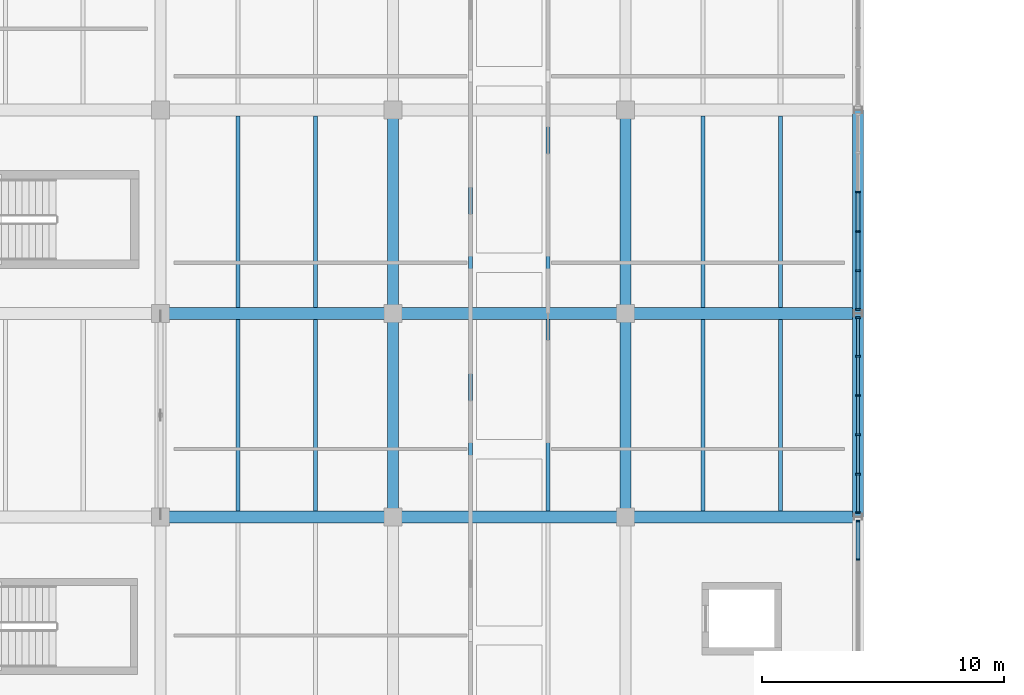
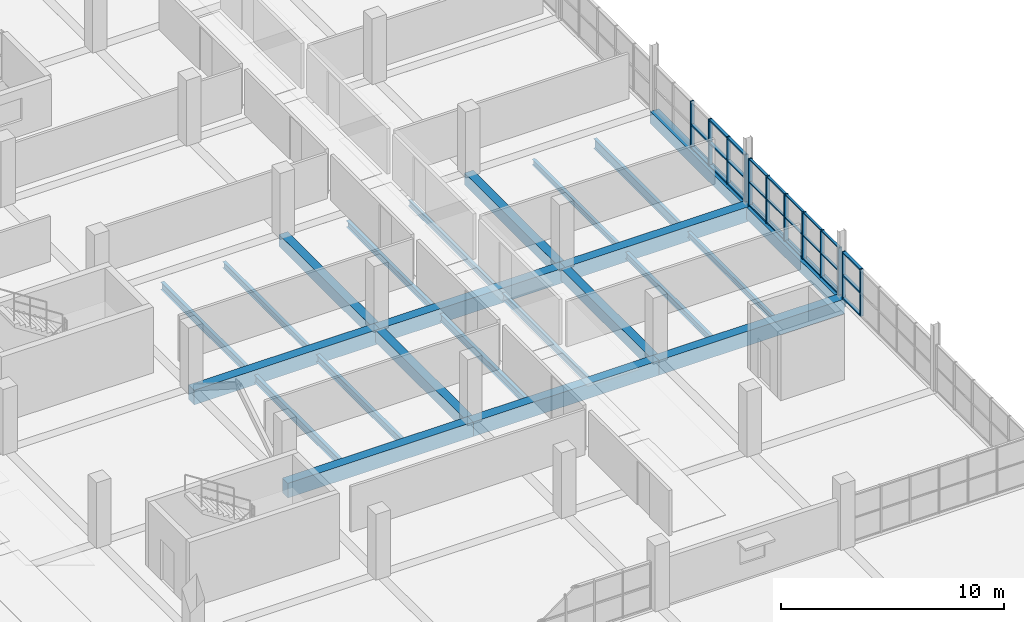
# One storey, part 27 of 147: 38 members, 24 beams, 3 elements without a shape of their own.
"""IFC4 building model written with IfcOpenShell, lengths in metres."""

from ifc_helpers import new_model, si_unit, direction, frame, origin, origin_2d, place, context, subcontext, project, spatial, rectangle, i_section, extrude, material, material_profile, profile_set, type_object, element, aggregate, save


model = new_model("IFC4")

# Units and contexts
model_context = context("Model", 3, precision=1e-05, world=origin(), true_north=direction((0.0, 1.0)))
body_context = subcontext(model_context, "Body", "Model", "MODEL_VIEW")
ifc_project = project(units=[si_unit("LENGTHUNIT", "METRE"), si_unit("AREAUNIT", "SQUARE_METRE"), si_unit("VOLUMEUNIT", "CUBIC_METRE"), si_unit("PLANEANGLEUNIT", "RADIAN"), si_unit("MASSUNIT", "GRAM", prefix="KILO")], contexts=[model_context])

# Site, building, storey
site_placement = place(None, origin())
site = spatial("IfcSite", under=ifc_project, at=site_placement, CompositionType="ELEMENT")
building_placement = place(site_placement, origin())
building = spatial("IfcBuilding", under=site, at=building_placement, Name="Oolite Switchyard Hospital", CompositionType="ELEMENT")
storey_placement = place(building_placement, frame((0.0, 0.0, 9.89990234375)))
storey = spatial("IfcBuildingStorey", under=building, at=storey_placement, Name="L02", CompositionType="ELEMENT", Elevation=9.89990234375)

# Beams
ifc_material_1 = material(Name="Concrete C40/50", Category="concrete")
ifc_material_profile_1 = material_profile(ifc_material_1, rectangle(XDim=0.449951171875, YDim=0.64990234375, at=origin_2d()), Name="RCB450X650")
ifc_profile_set_1 = profile_set([ifc_material_profile_1], Name="Concrete C40/50")
beam_type_1 = type_object("IfcBeamType", Name="BM-RC450X650", PredefinedType="BEAM", material=ifc_profile_set_1)
beam_1_placement = place(storey_placement, frame((38.39990234375, 50.39990234375, -0.324951171875), z_axis=(0.0, 1.0, 0.0), x_axis=(-1.0, 0.0, 0.0)))
element("IfcBeam", 1, at=beam_1_placement, inside=storey, type_object=beam_type_1, Name="L02 Y-Girder 1314", PredefinedType="BEAM", context=body_context, shape_type="SweptSolid", body=[
    extrude(rectangle(XDim=0.449951171875, YDim=0.64990234375, at=origin_2d()), origin(), (0.0, 0.0, 1.0), 8.400146484375),
])
beam_2_placement = place(storey_placement, frame((38.39990234375, 58.800048828125, -0.324951171875), z_axis=(0.0, 1.0, 0.0), x_axis=(-1.0, 0.0, 0.0)))
element("IfcBeam", 2, at=beam_2_placement, inside=storey, type_object=beam_type_1, Name="L02 Y-Girder 1315", PredefinedType="BEAM", context=body_context, shape_type="SweptSolid", body=[
    extrude(rectangle(XDim=0.449951171875, YDim=0.64990234375, at=origin_2d()), origin(), (0.0, 0.0, 1.0), 8.39990234375),
])
beam_3_placement = place(storey_placement, frame((48.0, 50.39990234375, -0.324951171875), z_axis=(0.0, 1.0, 0.0), x_axis=(-1.0, 0.0, 0.0)))
element("IfcBeam", 3, at=beam_3_placement, inside=storey, type_object=beam_type_1, Name="L02 Y-Girder 1330", PredefinedType="BEAM", context=body_context, shape_type="SweptSolid", body=[
    extrude(rectangle(XDim=0.449951171875, YDim=0.64990234375, at=origin_2d()), origin(), (0.0, 0.0, 1.0), 8.400146484375),
])
beam_4_placement = place(storey_placement, frame((48.0, 58.800048828125, -0.324951171875), z_axis=(0.0, 1.0, 0.0), x_axis=(-1.0, 0.0, 0.0)))
element("IfcBeam", 4, at=beam_4_placement, inside=storey, type_object=beam_type_1, Name="L02 Y-Girder 1331", PredefinedType="BEAM", context=body_context, shape_type="SweptSolid", body=[
    extrude(rectangle(XDim=0.449951171875, YDim=0.64990234375, at=origin_2d()), origin(), (0.0, 0.0, 1.0), 8.39990234375),
])
beam_5_placement = place(storey_placement, frame((57.60009765625, 50.39990234375, -0.324951171875), z_axis=(0.0, 1.0, 0.0), x_axis=(-1.0, 0.0, 0.0)))
element("IfcBeam", 5, at=beam_5_placement, inside=storey, type_object=beam_type_1, Name="L02 Y-Girder 1346", PredefinedType="BEAM", context=body_context, shape_type="SweptSolid", body=[
    extrude(rectangle(XDim=0.449951171875, YDim=0.64990234375, at=origin_2d()), origin(), (0.0, 0.0, 1.0), 8.400146484375),
])
beam_6_placement = place(storey_placement, frame((57.60009765625, 58.800048828125, -0.324951171875), z_axis=(0.0, 1.0, 0.0), x_axis=(-1.0, 0.0, 0.0)))
element("IfcBeam", 6, at=beam_6_placement, inside=storey, type_object=beam_type_1, Name="L02 Y-Girder 1347", PredefinedType="BEAM", context=body_context, shape_type="SweptSolid", body=[
    extrude(rectangle(XDim=0.449951171875, YDim=0.64990234375, at=origin_2d()), origin(), (0.0, 0.0, 1.0), 8.39990234375),
])
ifc_material_profile_2 = material_profile(ifc_material_1, rectangle(XDim=0.5, YDim=0.800048828125, at=origin_2d()), Name="RCB500X800")
ifc_profile_set_2 = profile_set([ifc_material_profile_2], Name="Concrete C40/50")
beam_type_2 = type_object("IfcBeamType", Name="BM-RC500X800", PredefinedType="BEAM", material=ifc_profile_set_2)
beam_7_placement = place(storey_placement, frame((28.800048828125, 50.39990234375, -0.39990234375), z_axis=(1.0, 0.0, 0.0), x_axis=(0.0, 1.0, 0.0)))
element("IfcBeam", 7, at=beam_7_placement, inside=storey, type_object=beam_type_2, Name="L02 X-Girder 1065", PredefinedType="BEAM", context=body_context, shape_type="SweptSolid", body=[
    extrude(rectangle(XDim=0.5, YDim=0.800048828125, at=origin_2d()), origin(), (0.0, 0.0, 1.0), 9.599853515625),
])
for number, where, z_axis, x_axis, name in (
    (8, (38.39990234375, 50.39990234375, -0.39990234375), (1.0, 0.0, 0.0), (0.0, 1.0, 0.0), "L02 X-Girder 1066"),
    (9, (48.0, 50.39990234375, -0.39990234375), (1.0, 0.0, 0.0), (0.0, 1.0, 0.0), "L02 X-Girder 1067"),
):
    element("IfcBeam", number, at=place(storey_placement, frame(where, z_axis=z_axis, x_axis=x_axis)), inside=storey, type_object=beam_type_2, Name=name, PredefinedType="BEAM", context=body_context, shape_type="SweptSolid", body=[
        extrude(rectangle(XDim=0.5, YDim=0.800048828125, at=origin_2d()), origin(), (0.0, 0.0, 1.0), 9.60009765625),
    ])
beam_8_placement = place(storey_placement, frame((28.800048828125, 58.800048828125, -0.39990234375), z_axis=(1.0, 0.0, 0.0), x_axis=(0.0, 1.0, 0.0)))
element("IfcBeam", 10, at=beam_8_placement, inside=storey, type_object=beam_type_2, Name="L02 X-Girder 1081", PredefinedType="BEAM", context=body_context, shape_type="SweptSolid", body=[
    extrude(rectangle(XDim=0.5, YDim=0.800048828125, at=origin_2d()), origin(), (0.0, 0.0, 1.0), 9.599853515625),
])
for number, where, z_axis, x_axis, name in (
    (11, (38.39990234375, 58.800048828125, -0.39990234375), (1.0, 0.0, 0.0), (0.0, 1.0, 0.0), "L02 X-Girder 1082"),
    (12, (48.0, 58.800048828125, -0.39990234375), (1.0, 0.0, 0.0), (0.0, 1.0, 0.0), "L02 X-Girder 1083"),
):
    element("IfcBeam", number, at=place(storey_placement, frame(where, z_axis=z_axis, x_axis=x_axis)), inside=storey, type_object=beam_type_2, Name=name, PredefinedType="BEAM", context=body_context, shape_type="SweptSolid", body=[
        extrude(rectangle(XDim=0.5, YDim=0.800048828125, at=origin_2d()), origin(), (0.0, 0.0, 1.0), 9.60009765625),
    ])
ifc_material_2 = material(Name="Steel ASTM A992 Grade 50", Category="steel")
ifc_material_profile_3 = material_profile(ifc_material_2, i_section(OverallWidth=0.1650390625, OverallDepth=0.31005859375, WebThickness=0.006103515625, FlangeThickness=0.010009765625, at=origin_2d()), Name="W12X26")
ifc_profile_set_3 = profile_set([ifc_material_profile_3], Name="Steel ASTM A992 Grade 50")
beam_type_3 = type_object("IfcBeamType", Name="BM-W12X26", PredefinedType="JOIST", material=ifc_profile_set_3)
beam_9_placement = place(storey_placement, frame((44.800048828125, 59.050048828125, -0.414794921875), z_axis=(0.0, 1.0, 0.0), x_axis=(-1.0, 0.0, 0.0)))
element("IfcBeam", 13, at=beam_9_placement, inside=storey, type_object=beam_type_3, Name="L02 Secondary Steel Joist 1637", PredefinedType="JOIST", context=body_context, shape_type="SweptSolid", body=[
    extrude(i_section(OverallWidth=0.1650390625, OverallDepth=0.31005859375, WebThickness=0.006103515625, FlangeThickness=0.010009765625, at=origin_2d()), origin(), (0.0, 0.0, 1.0), 7.89990234375),
])
beam_10_placement = place(storey_placement, frame((54.39990234375, 50.64990234375, -0.414794921875), z_axis=(0.0, 1.0, 0.0), x_axis=(-1.0, 0.0, 0.0)))
element("IfcBeam", 14, at=beam_10_placement, inside=storey, type_object=beam_type_3, Name="L02 Secondary Steel Joist 1663", PredefinedType="JOIST", context=body_context, shape_type="SweptSolid", body=[
    extrude(i_section(OverallWidth=0.1650390625, OverallDepth=0.31005859375, WebThickness=0.006103515625, FlangeThickness=0.010009765625, at=origin_2d()), origin(), (0.0, 0.0, 1.0), 7.900146484375),
])
beam_11_placement = place(storey_placement, frame((51.199951171875, 59.050048828125, -0.414794921875), z_axis=(0.0, 1.0, 0.0), x_axis=(-1.0, 0.0, 0.0)))
element("IfcBeam", 15, at=beam_11_placement, inside=storey, type_object=beam_type_3, Name="L02 Secondary Steel Joist 1664", PredefinedType="JOIST", context=body_context, shape_type="SweptSolid", body=[
    extrude(i_section(OverallWidth=0.1650390625, OverallDepth=0.31005859375, WebThickness=0.006103515625, FlangeThickness=0.010009765625, at=origin_2d()), origin(), (0.0, 0.0, 1.0), 7.89990234375),
])
ifc_material_profile_4 = material_profile(ifc_material_2, i_section(OverallWidth=0.1708984375, OverallDepth=0.35107421875, WebThickness=0.007080078125, FlangeThickness=0.010009765625, at=origin_2d()), Name="W14X30")
ifc_profile_set_4 = profile_set([ifc_material_profile_4], Name="Steel ASTM A992 Grade 50")
beam_type_4 = type_object("IfcBeamType", Name="BM-W14X30", PredefinedType="JOIST", material=ifc_profile_set_4)
beam_12_placement = place(storey_placement, frame((35.199951171875, 59.050048828125, -0.434814453125), z_axis=(0.0, 1.0, 0.0), x_axis=(-1.0, 0.0, 0.0)))
element("IfcBeam", 16, at=beam_12_placement, inside=storey, type_object=beam_type_4, Name="L02 Secondary Steel Joist 1607", PredefinedType="JOIST", context=body_context, shape_type="SweptSolid", body=[
    extrude(i_section(OverallWidth=0.1708984375, OverallDepth=0.35107421875, WebThickness=0.007080078125, FlangeThickness=0.010009765625, at=origin_2d()), origin(), (0.0, 0.0, 1.0), 7.89990234375),
])
beam_13_placement = place(storey_placement, frame((44.800048828125, 50.64990234375, -0.434814453125), z_axis=(0.0, 1.0, 0.0), x_axis=(-1.0, 0.0, 0.0)))
element("IfcBeam", 17, at=beam_13_placement, inside=storey, type_object=beam_type_4, Name="L02 Secondary Steel Joist 1635", PredefinedType="JOIST", context=body_context, shape_type="SweptSolid", body=[
    extrude(i_section(OverallWidth=0.1708984375, OverallDepth=0.35107421875, WebThickness=0.007080078125, FlangeThickness=0.010009765625, at=origin_2d()), origin(), (0.0, 0.0, 1.0), 7.900146484375),
])
beam_14_placement = place(storey_placement, frame((41.60009765625, 59.050048828125, -0.434814453125), z_axis=(0.0, 1.0, 0.0), x_axis=(-1.0, 0.0, 0.0)))
element("IfcBeam", 18, at=beam_14_placement, inside=storey, type_object=beam_type_4, Name="L02 Secondary Steel Joist 1636", PredefinedType="JOIST", context=body_context, shape_type="SweptSolid", body=[
    extrude(i_section(OverallWidth=0.1708984375, OverallDepth=0.35107421875, WebThickness=0.007080078125, FlangeThickness=0.010009765625, at=origin_2d()), origin(), (0.0, 0.0, 1.0), 7.89990234375),
])
beam_15_placement = place(storey_placement, frame((51.199951171875, 50.64990234375, -0.434814453125), z_axis=(0.0, 1.0, 0.0), x_axis=(-1.0, 0.0, 0.0)))
element("IfcBeam", 19, at=beam_15_placement, inside=storey, type_object=beam_type_4, Name="L02 Secondary Steel Joist 1662", PredefinedType="JOIST", context=body_context, shape_type="SweptSolid", body=[
    extrude(i_section(OverallWidth=0.1708984375, OverallDepth=0.35107421875, WebThickness=0.007080078125, FlangeThickness=0.010009765625, at=origin_2d()), origin(), (0.0, 0.0, 1.0), 7.900146484375),
])
ifc_material_profile_5 = material_profile(ifc_material_2, i_section(OverallWidth=0.177978515625, OverallDepth=0.403076171875, WebThickness=0.008056640625, FlangeThickness=0.010986328125, at=origin_2d()), Name="W16X36")
ifc_profile_set_5 = profile_set([ifc_material_profile_5], Name="Steel ASTM A992 Grade 50")
beam_type_5 = type_object("IfcBeamType", Name="BM-W16X36", PredefinedType="JOIST", material=ifc_profile_set_5)
beam_16_placement = place(storey_placement, frame((35.199951171875, 50.64990234375, -0.4609375), z_axis=(0.0, 1.0, 0.0), x_axis=(-1.0, 0.0, 0.0)))
element("IfcBeam", 20, at=beam_16_placement, inside=storey, type_object=beam_type_5, Name="L02 Secondary Steel Joist 1605", PredefinedType="JOIST", context=body_context, shape_type="SweptSolid", body=[
    extrude(i_section(OverallWidth=0.177978515625, OverallDepth=0.403076171875, WebThickness=0.008056640625, FlangeThickness=0.010986328125, at=origin_2d()), origin(), (0.0, 0.0, 1.0), 7.900146484375),
])
beam_17_placement = place(storey_placement, frame((32.0, 59.050048828125, -0.4609375), z_axis=(0.0, 1.0, 0.0), x_axis=(-1.0, 0.0, 0.0)))
element("IfcBeam", 21, at=beam_17_placement, inside=storey, type_object=beam_type_5, Name="L02 Secondary Steel Joist 1606", PredefinedType="JOIST", context=body_context, shape_type="SweptSolid", body=[
    extrude(i_section(OverallWidth=0.177978515625, OverallDepth=0.403076171875, WebThickness=0.008056640625, FlangeThickness=0.010986328125, at=origin_2d()), origin(), (0.0, 0.0, 1.0), 7.89990234375),
])
beam_18_placement = place(storey_placement, frame((41.60009765625, 50.64990234375, -0.4609375), z_axis=(0.0, 1.0, 0.0), x_axis=(-1.0, 0.0, 0.0)))
element("IfcBeam", 22, at=beam_18_placement, inside=storey, type_object=beam_type_5, Name="L02 Secondary Steel Joist 1634", PredefinedType="JOIST", context=body_context, shape_type="SweptSolid", body=[
    extrude(i_section(OverallWidth=0.177978515625, OverallDepth=0.403076171875, WebThickness=0.008056640625, FlangeThickness=0.010986328125, at=origin_2d()), origin(), (0.0, 0.0, 1.0), 7.900146484375),
])
ifc_material_profile_6 = material_profile(ifc_material_2, i_section(OverallWidth=0.179931640625, OverallDepth=0.4130859375, WebThickness=0.010009765625, FlangeThickness=0.01611328125, at=origin_2d()), Name="W16X50")
ifc_profile_set_6 = profile_set([ifc_material_profile_6], Name="Steel ASTM A992 Grade 50")
beam_type_6 = type_object("IfcBeamType", Name="BM-W16X50", PredefinedType="JOIST", material=ifc_profile_set_6)
beam_19_placement = place(storey_placement, frame((32.0, 50.64990234375, -0.4658203125), z_axis=(0.0, 1.0, 0.0), x_axis=(-1.0, 0.0, 0.0)))
element("IfcBeam", 23, at=beam_19_placement, inside=storey, type_object=beam_type_6, Name="L02 Secondary Steel Joist 1604", PredefinedType="JOIST", context=body_context, shape_type="SweptSolid", body=[
    extrude(i_section(OverallWidth=0.179931640625, OverallDepth=0.4130859375, WebThickness=0.010009765625, FlangeThickness=0.01611328125, at=origin_2d()), origin(), (0.0, 0.0, 1.0), 7.900146484375),
])
ifc_material_profile_7 = material_profile(ifc_material_2, i_section(OverallWidth=0.166015625, OverallDepth=0.529052734375, WebThickness=0.010009765625, FlangeThickness=0.013916015625, at=origin_2d()), Name="W21X50")
ifc_profile_set_7 = profile_set([ifc_material_profile_7], Name="Steel ASTM A992 Grade 50")
beam_type_7 = type_object("IfcBeamType", Name="BM-W21X50", PredefinedType="JOIST", material=ifc_profile_set_7)
beam_20_placement = place(storey_placement, frame((54.39990234375, 59.050048828125, -0.52392578125), z_axis=(0.0, 1.0, 0.0), x_axis=(-1.0, 0.0, 0.0)))
element("IfcBeam", 24, at=beam_20_placement, inside=storey, type_object=beam_type_7, Name="L02 Secondary Steel Joist 1665", PredefinedType="JOIST", context=body_context, shape_type="SweptSolid", body=[
    extrude(i_section(OverallWidth=0.166015625, OverallDepth=0.529052734375, WebThickness=0.010009765625, FlangeThickness=0.013916015625, at=origin_2d()), origin(), (0.0, 0.0, 1.0), 7.89990234375),
])

# Curtain wall, members
ifc_material_3 = material(Name="Thermally broken aluminum frame with laminated impact glazing", Category="aluminium")
curtain_wall_type = type_object("IfcCurtainWallType", Name="CW-UNIT-84X36", PredefinedType="USERDEFINED", material=ifc_material_3)
curtain_wall_1_placement = place(storey_placement, origin())
curtain_wall_1 = element("IfcCurtainWall", 25, at=curtain_wall_1_placement, inside=storey, type_object=curtain_wall_type, Name="L02 Unitised Curtain Wall 283", ObjectType="UNITISED", PredefinedType="USERDEFINED")
ifc_material_4 = material(Name="Aluminium 6063-T6", Category="aluminium")
ifc_material_profile_8 = material_profile(ifc_material_4, rectangle(XDim=0.159912109375, YDim=0.06005859375, at=origin_2d()), Name="CWM60X160")
ifc_profile_set_8 = profile_set([ifc_material_profile_8], Name="Aluminium 6063-T6")
member_type_1 = type_object("IfcMemberType", Name="CW-MUL-180", PredefinedType="MULLION", material=ifc_profile_set_8)
member_1_placement = place(storey_placement, frame((57.60009765625, 50.22802734375, 0.0), z_axis=(0.0, 0.0, 1.0), x_axis=(1.0, 0.0, 0.0)))
member_1 = element("IfcMember", 26, at=member_1_placement, type_object=member_type_1, Name="CW-08 mullion 1", PredefinedType="MULLION", context=body_context, shape_type="SweptSolid", body=[
    extrude(rectangle(XDim=0.159912109375, YDim=0.06005859375, at=origin_2d()), origin(), (0.0, 0.0, 1.0), 2.570068359375),
])
member_2_placement = place(storey_placement, frame((57.60009765625, 48.634765625, 0.0), z_axis=(0.0, 0.0, 1.0), x_axis=(1.0, 0.0, 0.0)))
member_2 = element("IfcMember", 27, at=member_2_placement, type_object=member_type_1, Name="CW-08 mullion 2", PredefinedType="MULLION", context=body_context, shape_type="SweptSolid", body=[
    extrude(rectangle(XDim=0.159912109375, YDim=0.06005859375, at=origin_2d()), origin(), (0.0, 0.0, 1.0), 2.570068359375),
])

curtain_wall_2_placement = place(storey_placement, origin())
curtain_wall_2 = element("IfcCurtainWall", 28, at=curtain_wall_2_placement, inside=storey, type_object=curtain_wall_type, Name="L02 Unitised Curtain Wall 281", ObjectType="UNITISED", PredefinedType="USERDEFINED")
ifc_material_profile_9 = material_profile(ifc_material_4, rectangle(XDim=0.179931640625, YDim=0.070068359375, at=origin_2d()), Name="CWM70X180")
ifc_profile_set_9 = profile_set([ifc_material_profile_9], Name="Aluminium 6063-T6")
member_type_2 = type_object("IfcMemberType", Name="CW-MUL-220", PredefinedType="MULLION", material=ifc_profile_set_9)
member_3_placement = place(storey_placement, frame((57.60009765625, 63.8115234375, 0.0), z_axis=(0.0, 0.0, 1.0), x_axis=(1.0, 0.0, 0.0)))
member_3 = element("IfcMember", 29, at=member_3_placement, type_object=member_type_2, Name="CW-08 mullion 3", PredefinedType="MULLION", context=body_context, shape_type="SweptSolid", body=[
    extrude(rectangle(XDim=0.179931640625, YDim=0.070068359375, at=origin_2d()), origin(), (0.0, 0.0, 1.0), 2.570068359375),
])
member_4_placement = place(storey_placement, frame((57.60009765625, 62.1884765625, 0.0), z_axis=(0.0, 0.0, 1.0), x_axis=(1.0, 0.0, 0.0)))
member_4 = element("IfcMember", 30, at=member_4_placement, type_object=member_type_2, Name="CW-08 mullion 4", PredefinedType="MULLION", context=body_context, shape_type="SweptSolid", body=[
    extrude(rectangle(XDim=0.179931640625, YDim=0.070068359375, at=origin_2d()), origin(), (0.0, 0.0, 1.0), 2.570068359375),
])
member_5_placement = place(storey_placement, frame((57.60009765625, 60.565185546875, 0.0), z_axis=(0.0, 0.0, 1.0), x_axis=(1.0, 0.0, 0.0)))
member_5 = element("IfcMember", 31, at=member_5_placement, type_object=member_type_2, Name="CW-08 mullion 5", PredefinedType="MULLION", context=body_context, shape_type="SweptSolid", body=[
    extrude(rectangle(XDim=0.179931640625, YDim=0.070068359375, at=origin_2d()), origin(), (0.0, 0.0, 1.0), 2.570068359375),
])
member_6_placement = place(storey_placement, frame((57.60009765625, 58.97705078125, 0.0), z_axis=(0.0, 0.0, 1.0), x_axis=(1.0, 0.0, 0.0)))
member_6 = element("IfcMember", 32, at=member_6_placement, type_object=member_type_2, Name="CW-08 mullion 6", PredefinedType="MULLION", context=body_context, shape_type="SweptSolid", body=[
    extrude(rectangle(XDim=0.179931640625, YDim=0.070068359375, at=origin_2d()), origin(), (0.0, 0.0, 1.0), 2.570068359375),
])

curtain_wall_3_placement = place(storey_placement, origin())
curtain_wall_3 = element("IfcCurtainWall", 33, at=curtain_wall_3_placement, inside=storey, type_object=curtain_wall_type, Name="L02 Unitised Curtain Wall 282", ObjectType="UNITISED", PredefinedType="USERDEFINED")
ifc_material_profile_10 = material_profile(ifc_material_4, rectangle(XDim=0.199951171875, YDim=0.074951171875, at=origin_2d()), Name="CWM75X200")
ifc_profile_set_10 = profile_set([ifc_material_profile_10], Name="Aluminium 6063-T6")
member_type_3 = type_object("IfcMemberType", Name="CW-MUL-260", PredefinedType="MULLION", material=ifc_profile_set_10)
member_7_placement = place(storey_placement, frame((57.60009765625, 58.62060546875, 0.0), z_axis=(0.0, 0.0, 1.0), x_axis=(1.0, 0.0, 0.0)))
member_7 = element("IfcMember", 34, at=member_7_placement, type_object=member_type_3, Name="CW-08 mullion 1", PredefinedType="MULLION", context=body_context, shape_type="SweptSolid", body=[
    extrude(rectangle(XDim=0.199951171875, YDim=0.074951171875, at=origin_2d()), origin(), (0.0, 0.0, 1.0), 2.570068359375),
])
member_8_placement = place(storey_placement, frame((57.60009765625, 57.034912109375, 0.0), z_axis=(0.0, 0.0, 1.0), x_axis=(1.0, 0.0, 0.0)))
member_8 = element("IfcMember", 35, at=member_8_placement, type_object=member_type_3, Name="CW-08 mullion 2", PredefinedType="MULLION", context=body_context, shape_type="SweptSolid", body=[
    extrude(rectangle(XDim=0.199951171875, YDim=0.074951171875, at=origin_2d()), origin(), (0.0, 0.0, 1.0), 2.570068359375),
])
member_9_placement = place(storey_placement, frame((57.60009765625, 55.41162109375, 0.0), z_axis=(0.0, 0.0, 1.0), x_axis=(1.0, 0.0, 0.0)))
member_9 = element("IfcMember", 36, at=member_9_placement, type_object=member_type_3, Name="CW-08 mullion 3", PredefinedType="MULLION", context=body_context, shape_type="SweptSolid", body=[
    extrude(rectangle(XDim=0.199951171875, YDim=0.074951171875, at=origin_2d()), origin(), (0.0, 0.0, 1.0), 2.570068359375),
])
member_10_placement = place(storey_placement, frame((57.60009765625, 53.788330078125, 0.0), z_axis=(0.0, 0.0, 1.0), x_axis=(1.0, 0.0, 0.0)))
member_10 = element("IfcMember", 37, at=member_10_placement, type_object=member_type_3, Name="CW-08 mullion 4", PredefinedType="MULLION", context=body_context, shape_type="SweptSolid", body=[
    extrude(rectangle(XDim=0.199951171875, YDim=0.074951171875, at=origin_2d()), origin(), (0.0, 0.0, 1.0), 2.570068359375),
])
member_11_placement = place(storey_placement, frame((57.60009765625, 52.165283203125, 0.0), z_axis=(0.0, 0.0, 1.0), x_axis=(1.0, 0.0, 0.0)))
member_11 = element("IfcMember", 38, at=member_11_placement, type_object=member_type_3, Name="CW-08 mullion 5", PredefinedType="MULLION", context=body_context, shape_type="SweptSolid", body=[
    extrude(rectangle(XDim=0.199951171875, YDim=0.074951171875, at=origin_2d()), origin(), (0.0, 0.0, 1.0), 2.570068359375),
])
member_12_placement = place(storey_placement, frame((57.60009765625, 50.57958984375, 0.0), z_axis=(0.0, 0.0, 1.0), x_axis=(1.0, 0.0, 0.0)))
member_12 = element("IfcMember", 39, at=member_12_placement, type_object=member_type_3, Name="CW-08 mullion 6", PredefinedType="MULLION", context=body_context, shape_type="SweptSolid", body=[
    extrude(rectangle(XDim=0.199951171875, YDim=0.074951171875, at=origin_2d()), origin(), (0.0, 0.0, 1.0), 2.570068359375),
])
ifc_material_profile_11 = material_profile(ifc_material_4, rectangle(XDim=0.1201171875, YDim=0.06005859375, at=origin_2d()), Name="CWT60X120")
ifc_profile_set_11 = profile_set([ifc_material_profile_11], Name="Aluminium 6063-T6")
member_type_4 = type_object("IfcMemberType", Name="CW-TRN-150", PredefinedType="USERDEFINED", material=ifc_profile_set_11)
member_13_placement = place(storey_placement, frame((57.60009765625, 58.5830078125, 0.030029296875), z_axis=(0.0, -1.0, 0.0), x_axis=(1.0, 0.0, 0.0)))
member_13 = element("IfcMember", 40, at=member_13_placement, type_object=member_type_4, Name="CW-08 transom 1.1", ObjectType="TRANSOM", PredefinedType="USERDEFINED", context=body_context, shape_type="SweptSolid", body=[
    extrude(rectangle(XDim=0.1201171875, YDim=0.06005859375, at=origin_2d()), origin(), (0.0, 0.0, 1.0), 1.5107421875),
])
member_14_placement = place(storey_placement, frame((57.60009765625, 58.5830078125, 1.28515625), z_axis=(0.0, -1.0, 0.0), x_axis=(1.0, 0.0, 0.0)))
member_14 = element("IfcMember", 41, at=member_14_placement, type_object=member_type_4, Name="CW-08 transom 1.2", ObjectType="TRANSOM", PredefinedType="USERDEFINED", context=body_context, shape_type="SweptSolid", body=[
    extrude(rectangle(XDim=0.1201171875, YDim=0.06005859375, at=origin_2d()), origin(), (0.0, 0.0, 1.0), 1.5107421875),
])
member_15_placement = place(storey_placement, frame((57.60009765625, 58.5830078125, 2.5400390625), z_axis=(0.0, -1.0, 0.0), x_axis=(1.0, 0.0, 0.0)))
member_15 = element("IfcMember", 42, at=member_15_placement, type_object=member_type_4, Name="CW-08 transom 1.3", ObjectType="TRANSOM", PredefinedType="USERDEFINED", context=body_context, shape_type="SweptSolid", body=[
    extrude(rectangle(XDim=0.1201171875, YDim=0.06005859375, at=origin_2d()), origin(), (0.0, 0.0, 1.0), 1.5107421875),
])
member_16_placement = place(storey_placement, frame((57.60009765625, 56.997314453125, 0.030029296875), z_axis=(0.0, -1.0, 0.0), x_axis=(1.0, 0.0, 0.0)))
member_16 = element("IfcMember", 43, at=member_16_placement, type_object=member_type_4, Name="CW-08 transom 2.1", ObjectType="TRANSOM", PredefinedType="USERDEFINED", context=body_context, shape_type="SweptSolid", body=[
    extrude(rectangle(XDim=0.1201171875, YDim=0.06005859375, at=origin_2d()), origin(), (0.0, 0.0, 1.0), 1.548095703125),
])
member_17_placement = place(storey_placement, frame((57.60009765625, 56.997314453125, 1.28515625), z_axis=(0.0, -1.0, 0.0), x_axis=(1.0, 0.0, 0.0)))
member_17 = element("IfcMember", 44, at=member_17_placement, type_object=member_type_4, Name="CW-08 transom 2.2", ObjectType="TRANSOM", PredefinedType="USERDEFINED", context=body_context, shape_type="SweptSolid", body=[
    extrude(rectangle(XDim=0.1201171875, YDim=0.06005859375, at=origin_2d()), origin(), (0.0, 0.0, 1.0), 1.548095703125),
])
member_18_placement = place(storey_placement, frame((57.60009765625, 56.997314453125, 2.5400390625), z_axis=(0.0, -1.0, 0.0), x_axis=(1.0, 0.0, 0.0)))
member_18 = element("IfcMember", 45, at=member_18_placement, type_object=member_type_4, Name="CW-08 transom 2.3", ObjectType="TRANSOM", PredefinedType="USERDEFINED", context=body_context, shape_type="SweptSolid", body=[
    extrude(rectangle(XDim=0.1201171875, YDim=0.06005859375, at=origin_2d()), origin(), (0.0, 0.0, 1.0), 1.548095703125),
])
member_19_placement = place(storey_placement, frame((57.60009765625, 55.3740234375, 0.030029296875), z_axis=(0.0, -1.0, 0.0), x_axis=(1.0, 0.0, 0.0)))
member_19 = element("IfcMember", 46, at=member_19_placement, type_object=member_type_4, Name="CW-08 transom 3.1", ObjectType="TRANSOM", PredefinedType="USERDEFINED", context=body_context, shape_type="SweptSolid", body=[
    extrude(rectangle(XDim=0.1201171875, YDim=0.06005859375, at=origin_2d()), origin(), (0.0, 0.0, 1.0), 1.548095703125),
])
member_20_placement = place(storey_placement, frame((57.60009765625, 55.3740234375, 1.28515625), z_axis=(0.0, -1.0, 0.0), x_axis=(1.0, 0.0, 0.0)))
member_20 = element("IfcMember", 47, at=member_20_placement, type_object=member_type_4, Name="CW-08 transom 3.2", ObjectType="TRANSOM", PredefinedType="USERDEFINED", context=body_context, shape_type="SweptSolid", body=[
    extrude(rectangle(XDim=0.1201171875, YDim=0.06005859375, at=origin_2d()), origin(), (0.0, 0.0, 1.0), 1.548095703125),
])
member_21_placement = place(storey_placement, frame((57.60009765625, 55.3740234375, 2.5400390625), z_axis=(0.0, -1.0, 0.0), x_axis=(1.0, 0.0, 0.0)))
member_21 = element("IfcMember", 48, at=member_21_placement, type_object=member_type_4, Name="CW-08 transom 3.3", ObjectType="TRANSOM", PredefinedType="USERDEFINED", context=body_context, shape_type="SweptSolid", body=[
    extrude(rectangle(XDim=0.1201171875, YDim=0.06005859375, at=origin_2d()), origin(), (0.0, 0.0, 1.0), 1.548095703125),
])
member_22_placement = place(storey_placement, frame((57.60009765625, 53.7509765625, 0.030029296875), z_axis=(0.0, -1.0, 0.0), x_axis=(1.0, 0.0, 0.0)))
member_22 = element("IfcMember", 49, at=member_22_placement, type_object=member_type_4, Name="CW-08 transom 4.1", ObjectType="TRANSOM", PredefinedType="USERDEFINED", context=body_context, shape_type="SweptSolid", body=[
    extrude(rectangle(XDim=0.1201171875, YDim=0.06005859375, at=origin_2d()), origin(), (0.0, 0.0, 1.0), 1.54833984375),
])
member_23_placement = place(storey_placement, frame((57.60009765625, 53.7509765625, 1.28515625), z_axis=(0.0, -1.0, 0.0), x_axis=(1.0, 0.0, 0.0)))
member_23 = element("IfcMember", 50, at=member_23_placement, type_object=member_type_4, Name="CW-08 transom 4.2", ObjectType="TRANSOM", PredefinedType="USERDEFINED", context=body_context, shape_type="SweptSolid", body=[
    extrude(rectangle(XDim=0.1201171875, YDim=0.06005859375, at=origin_2d()), origin(), (0.0, 0.0, 1.0), 1.54833984375),
])
member_24_placement = place(storey_placement, frame((57.60009765625, 53.7509765625, 2.5400390625), z_axis=(0.0, -1.0, 0.0), x_axis=(1.0, 0.0, 0.0)))
member_24 = element("IfcMember", 51, at=member_24_placement, type_object=member_type_4, Name="CW-08 transom 4.3", ObjectType="TRANSOM", PredefinedType="USERDEFINED", context=body_context, shape_type="SweptSolid", body=[
    extrude(rectangle(XDim=0.1201171875, YDim=0.06005859375, at=origin_2d()), origin(), (0.0, 0.0, 1.0), 1.54833984375),
])
member_25_placement = place(storey_placement, frame((57.60009765625, 52.127685546875, 0.030029296875), z_axis=(0.0, -1.0, 0.0), x_axis=(1.0, 0.0, 0.0)))
member_25 = element("IfcMember", 52, at=member_25_placement, type_object=member_type_4, Name="CW-08 transom 5.1", ObjectType="TRANSOM", PredefinedType="USERDEFINED", context=body_context, shape_type="SweptSolid", body=[
    extrude(rectangle(XDim=0.1201171875, YDim=0.06005859375, at=origin_2d()), origin(), (0.0, 0.0, 1.0), 1.5107421875),
])
member_26_placement = place(storey_placement, frame((57.60009765625, 52.127685546875, 1.28515625), z_axis=(0.0, -1.0, 0.0), x_axis=(1.0, 0.0, 0.0)))
member_26 = element("IfcMember", 53, at=member_26_placement, type_object=member_type_4, Name="CW-08 transom 5.2", ObjectType="TRANSOM", PredefinedType="USERDEFINED", context=body_context, shape_type="SweptSolid", body=[
    extrude(rectangle(XDim=0.1201171875, YDim=0.06005859375, at=origin_2d()), origin(), (0.0, 0.0, 1.0), 1.5107421875),
])
member_27_placement = place(storey_placement, frame((57.60009765625, 52.127685546875, 2.5400390625), z_axis=(0.0, -1.0, 0.0), x_axis=(1.0, 0.0, 0.0)))
member_27 = element("IfcMember", 54, at=member_27_placement, type_object=member_type_4, Name="CW-08 transom 5.3", ObjectType="TRANSOM", PredefinedType="USERDEFINED", context=body_context, shape_type="SweptSolid", body=[
    extrude(rectangle(XDim=0.1201171875, YDim=0.06005859375, at=origin_2d()), origin(), (0.0, 0.0, 1.0), 1.5107421875),
])
aggregate(curtain_wall_3, [member_7, member_8, member_9, member_10, member_11, member_12, member_13, member_14, member_15, member_16, member_17, member_18, member_19, member_20, member_21, member_22, member_23, member_24, member_25, member_26, member_27])

# Member
ifc_material_profile_12 = material_profile(ifc_material_4, rectangle(XDim=0.159912109375, YDim=0.074951171875, at=origin_2d()), Name="CWT75X160")
ifc_profile_set_12 = profile_set([ifc_material_profile_12], Name="Aluminium 6063-T6")
member_type_5 = type_object("IfcMemberType", Name="CW-TRN-180", PredefinedType="USERDEFINED", material=ifc_profile_set_12)
member_28_placement = place(storey_placement, frame((57.60009765625, 63.776611328125, 0.03759765625), z_axis=(0.0, -1.0, 0.0), x_axis=(1.0, 0.0, 0.0)))
member_28 = element("IfcMember", 55, at=member_28_placement, type_object=member_type_5, Name="CW-08 transom 3.1", ObjectType="TRANSOM", PredefinedType="USERDEFINED", context=body_context, shape_type="SweptSolid", body=[
    extrude(rectangle(XDim=0.159912109375, YDim=0.074951171875, at=origin_2d()), origin(), (0.0, 0.0, 1.0), 1.55322265625),
])

member_29_placement = place(storey_placement, frame((57.60009765625, 63.776611328125, 1.28515625), z_axis=(0.0, -1.0, 0.0), x_axis=(1.0, 0.0, 0.0)))
member_29 = element("IfcMember", 56, at=member_29_placement, type_object=member_type_5, Name="CW-08 transom 3.2", ObjectType="TRANSOM", PredefinedType="USERDEFINED", context=body_context, shape_type="SweptSolid", body=[
    extrude(rectangle(XDim=0.159912109375, YDim=0.074951171875, at=origin_2d()), origin(), (0.0, 0.0, 1.0), 1.55322265625),
])

member_30_placement = place(storey_placement, frame((57.60009765625, 62.1533203125, 0.03759765625), z_axis=(0.0, -1.0, 0.0), x_axis=(1.0, 0.0, 0.0)))
member_30 = element("IfcMember", 57, at=member_30_placement, type_object=member_type_5, Name="CW-08 transom 4.1", ObjectType="TRANSOM", PredefinedType="USERDEFINED", context=body_context, shape_type="SweptSolid", body=[
    extrude(rectangle(XDim=0.159912109375, YDim=0.074951171875, at=origin_2d()), origin(), (0.0, 0.0, 1.0), 1.55322265625),
])

member_31_placement = place(storey_placement, frame((57.60009765625, 62.1533203125, 1.28515625), z_axis=(0.0, -1.0, 0.0), x_axis=(1.0, 0.0, 0.0)))
member_31 = element("IfcMember", 58, at=member_31_placement, type_object=member_type_5, Name="CW-08 transom 4.2", ObjectType="TRANSOM", PredefinedType="USERDEFINED", context=body_context, shape_type="SweptSolid", body=[
    extrude(rectangle(XDim=0.159912109375, YDim=0.074951171875, at=origin_2d()), origin(), (0.0, 0.0, 1.0), 1.55322265625),
])

member_32_placement = place(storey_placement, frame((57.60009765625, 62.1533203125, 2.53271484375), z_axis=(0.0, -1.0, 0.0), x_axis=(1.0, 0.0, 0.0)))
member_32 = element("IfcMember", 59, at=member_32_placement, type_object=member_type_5, Name="CW-08 transom 4.3", ObjectType="TRANSOM", PredefinedType="USERDEFINED", context=body_context, shape_type="SweptSolid", body=[
    extrude(rectangle(XDim=0.159912109375, YDim=0.074951171875, at=origin_2d()), origin(), (0.0, 0.0, 1.0), 1.55322265625),
])

member_33_placement = place(storey_placement, frame((57.60009765625, 60.5302734375, 0.03759765625), z_axis=(0.0, -1.0, 0.0), x_axis=(1.0, 0.0, 0.0)))
member_33 = element("IfcMember", 60, at=member_33_placement, type_object=member_type_5, Name="CW-08 transom 5.1", ObjectType="TRANSOM", PredefinedType="USERDEFINED", context=body_context, shape_type="SweptSolid", body=[
    extrude(rectangle(XDim=0.159912109375, YDim=0.074951171875, at=origin_2d()), origin(), (0.0, 0.0, 1.0), 1.518310546875),
])

member_34_placement = place(storey_placement, frame((57.60009765625, 60.5302734375, 1.28515625), z_axis=(0.0, -1.0, 0.0), x_axis=(1.0, 0.0, 0.0)))
member_34 = element("IfcMember", 61, at=member_34_placement, type_object=member_type_5, Name="CW-08 transom 5.2", ObjectType="TRANSOM", PredefinedType="USERDEFINED", context=body_context, shape_type="SweptSolid", body=[
    extrude(rectangle(XDim=0.159912109375, YDim=0.074951171875, at=origin_2d()), origin(), (0.0, 0.0, 1.0), 1.518310546875),
])

member_35_placement = place(storey_placement, frame((57.60009765625, 60.5302734375, 2.53271484375), z_axis=(0.0, -1.0, 0.0), x_axis=(1.0, 0.0, 0.0)))
member_35 = element("IfcMember", 62, at=member_35_placement, type_object=member_type_5, Name="CW-08 transom 5.3", ObjectType="TRANSOM", PredefinedType="USERDEFINED", context=body_context, shape_type="SweptSolid", body=[
    extrude(rectangle(XDim=0.159912109375, YDim=0.074951171875, at=origin_2d()), origin(), (0.0, 0.0, 1.0), 1.518310546875),
])

aggregate(curtain_wall_2, [member_3, member_4, member_5, member_6, member_28, member_29, member_30, member_31, member_32, member_33, member_34, member_35])

member_36_placement = place(storey_placement, frame((57.60009765625, 50.197998046875, 0.03759765625), z_axis=(0.0, -1.0, 0.0), x_axis=(1.0, 0.0, 0.0)))
member_36 = element("IfcMember", 63, at=member_36_placement, type_object=member_type_5, Name="CW-08 transom 1.1", ObjectType="TRANSOM", PredefinedType="USERDEFINED", context=body_context, shape_type="SweptSolid", body=[
    extrude(rectangle(XDim=0.159912109375, YDim=0.074951171875, at=origin_2d()), origin(), (0.0, 0.0, 1.0), 1.533203125),
])

member_37_placement = place(storey_placement, frame((57.60009765625, 50.197998046875, 1.28515625), z_axis=(0.0, -1.0, 0.0), x_axis=(1.0, 0.0, 0.0)))
member_37 = element("IfcMember", 64, at=member_37_placement, type_object=member_type_5, Name="CW-08 transom 1.2", ObjectType="TRANSOM", PredefinedType="USERDEFINED", context=body_context, shape_type="SweptSolid", body=[
    extrude(rectangle(XDim=0.159912109375, YDim=0.074951171875, at=origin_2d()), origin(), (0.0, 0.0, 1.0), 1.533203125),
])

member_38_placement = place(storey_placement, frame((57.60009765625, 50.197998046875, 2.53271484375), z_axis=(0.0, -1.0, 0.0), x_axis=(1.0, 0.0, 0.0)))
member_38 = element("IfcMember", 65, at=member_38_placement, type_object=member_type_5, Name="CW-08 transom 1.3", ObjectType="TRANSOM", PredefinedType="USERDEFINED", context=body_context, shape_type="SweptSolid", body=[
    extrude(rectangle(XDim=0.159912109375, YDim=0.074951171875, at=origin_2d()), origin(), (0.0, 0.0, 1.0), 1.533203125),
])

aggregate(curtain_wall_1, [member_1, member_2, member_36, member_37, member_38])

save(model, "model.ifc")
